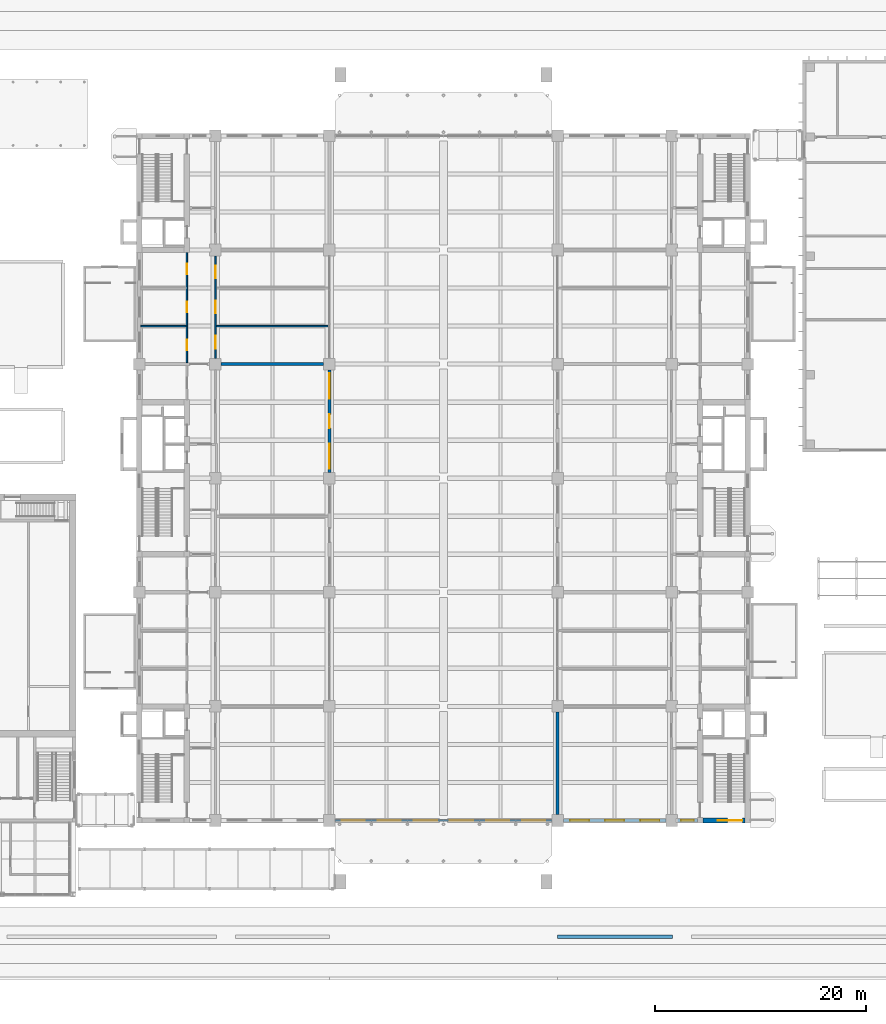
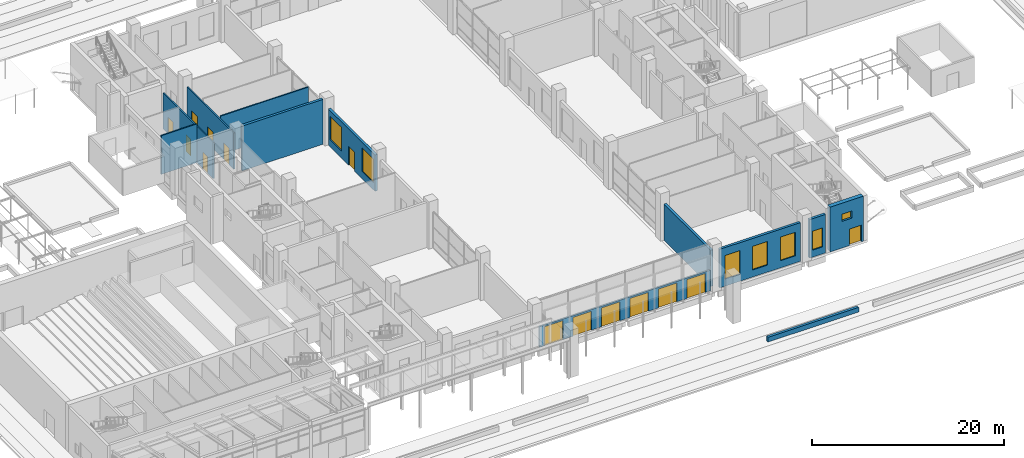
# One storey, part 50 of 71: 14 doors, 12 walls, 7 windows, 21 openings.
"""IFC4 building model written with IfcOpenShell, lengths in metres."""

from ifc_helpers import new_model, si_unit, direction, frame, frame_2d, origin, place, context, subcontext, project, spatial, rectangle, extrude, material, layer, layer_set, type_object, element, fill, save


model = new_model("IFC4")

# Units and contexts
model_context = context("Model", 3, precision=1e-05, world=origin(), true_north=direction((0.0, 1.0)))
body_context = subcontext(model_context, "Body", "Model", "MODEL_VIEW")
ifc_project = project(units=[si_unit("LENGTHUNIT", "METRE"), si_unit("AREAUNIT", "SQUARE_METRE"), si_unit("VOLUMEUNIT", "CUBIC_METRE"), si_unit("PLANEANGLEUNIT", "RADIAN"), si_unit("MASSUNIT", "GRAM", prefix="KILO")], contexts=[model_context])

# Site, building, storey
site_placement = place(None, origin())
site = spatial("IfcSite", under=ifc_project, at=site_placement, CompositionType="ELEMENT")
building_placement = place(site_placement, origin())
building = spatial("IfcBuilding", under=site, at=building_placement, Name="Basin Gate Institute", CompositionType="ELEMENT")
storey_placement = place(building_placement, origin())
storey = spatial("IfcBuildingStorey", under=building, at=storey_placement, Name="L00", CompositionType="ELEMENT", Elevation=0.0)

# Wall, openings, door, windows
ifc_material_1 = material(Name="Fire-resisting board wall assembly")
ifc_layer_1 = layer(ifc_material_1, 0.300048828125)
ifc_layer_set_1 = layer_set([ifc_layer_1], Name="Atrium enclosure wall EW4")
wall_type_1 = type_object("IfcWallType", Name="Atrium enclosure wall EW4", PredefinedType="STANDARD", material=ifc_layer_set_1)
wall_1_placement = place(storey_placement, frame((79.199951171875, 68.050048828125, 0.0), z_axis=(0.0, 0.0, 1.0), x_axis=(0.0, 1.0, 0.0)))
wall_1 = element("IfcWall", 1, at=wall_1_placement, inside=storey, type_object=wall_type_1, material=ifc_layer_set_1, Name="Atrium enclosure wall W wing bay 4 L00", PredefinedType="STANDARD", context=body_context, shape_type="SweptSolid", body=[
    extrude(rectangle(XDim=9.699951171875, YDim=0.300048828125, at=frame_2d((4.85009765625, 0.0))), origin(), (0.0, 0.0, 1.0), 4.60009765625),
])
opening_1_placement = place(wall_1_placement, frame((0.324951171875, 0.0, 0.89990234375)))
opening_1 = element("IfcOpeningElement", 2, at=opening_1_placement, cuts=wall_1, Name="Opening WN5", PredefinedType="OPENING", context=body_context, shape_type="SweptSolid", body=[
    extrude(rectangle(XDim=2.39990234375, YDim=3.0, at=frame_2d((1.199951171875, 1.5))), frame((0.0, 0.16015625, 0.0), z_axis=(0.0, -1.0, 0.0), x_axis=(1.0, 0.0, 0.0)), (0.0, 0.0, 1.0), 0.320068359375),
])
opening_2_placement = place(wall_1_placement, frame((6.97509765625, 0.0, 0.89990234375)))
opening_2 = element("IfcOpeningElement", 3, at=opening_2_placement, cuts=wall_1, Name="Opening WN5", PredefinedType="OPENING", context=body_context, shape_type="SweptSolid", body=[
    extrude(rectangle(XDim=2.39990234375, YDim=3.0, at=frame_2d((1.199951171875, 1.5))), frame((0.0, 0.16015625, 0.0), z_axis=(0.0, -1.0, 0.0), x_axis=(1.0, 0.0, 0.0)), (0.0, 0.0, 1.0), 0.320068359375),
])
opening_3_placement = place(wall_1_placement, frame((4.199951171875, 0.0, 0.0)))
opening_3 = element("IfcOpeningElement", 4, at=opening_3_placement, cuts=wall_1, Name="Opening ED102", PredefinedType="OPENING", context=body_context, shape_type="SweptSolid", body=[
    extrude(rectangle(XDim=1.300048828125, YDim=2.39990234375, at=frame_2d((0.64990234375, 1.199951171875))), frame((0.0, 0.16015625, 0.0), z_axis=(0.0, -1.0, 0.0), x_axis=(1.0, 0.0, 0.0)), (0.0, 0.0, 1.0), 0.320068359375),
])
ifc_material_2 = material(Name="Fire-resisting glazed door in aluminium frame", Category="aluminium")
door_type_1 = type_object("IfcDoorType", Name="Atrium fire door FD60A", OperationType="NOTDEFINED", PredefinedType="DOOR", material=ifc_material_2)
door_1_placement = place(opening_3_placement, frame((1.300048828125, 0.0, 0.0), z_axis=(0.0, 0.0, 1.0), x_axis=(-1.0, 0.0, 0.0)))
door_1 = element("IfcDoor", 5, at=door_1_placement, inside=storey, type_object=door_type_1, material=ifc_material_2, Name="Atrium fire door W wing bay 4", OperationType="SINGLE_SWING_RIGHT", OverallHeight=2.39990234375, OverallWidth=1.300048828125, PredefinedType="DOOR", context=body_context, shape_type="SweptSolid", body=[
    extrude(rectangle(XDim=1.300048828125, YDim=2.39990234375, at=frame_2d((0.64990234375, 1.199951171875))), frame((0.0, 0.02490234375, 0.0), z_axis=(0.0, -1.0, 0.0), x_axis=(1.0, 0.0, 0.0)), (0.0, 0.0, 1.0), 0.050048828125),
])
fill(opening_3, door_1)
ifc_material_3 = material(Name="Fire-resistant glazing in steel-free frame", Category="steel")
window_type_1 = type_object("IfcWindowType", Name="Fire-rated fixed window WN5", PartitioningType="SINGLE_PANEL", PredefinedType="WINDOW", material=ifc_material_3)
window_1_placement = place(opening_1_placement, origin())
window_1 = element("IfcWindow", 6, at=window_1_placement, inside=storey, type_object=window_type_1, material=ifc_material_3, Name="Fire-rated fixed window W wing bay 4 L00", OverallHeight=3.0, OverallWidth=2.39990234375, PartitioningType="SINGLE_PANEL", PredefinedType="WINDOW", context=body_context, shape_type="SweptSolid", body=[
    extrude(rectangle(XDim=2.39990234375, YDim=3.0, at=frame_2d((1.199951171875, 1.5))), frame((0.0, 0.030029296875, 0.0), z_axis=(0.0, -1.0, 0.0), x_axis=(1.0, 0.0, 0.0)), (0.0, 0.0, 1.0), 0.06005859375),
])
fill(opening_1, window_1)
window_2_placement = place(opening_2_placement, origin())
window_2 = element("IfcWindow", 7, at=window_2_placement, inside=storey, type_object=window_type_1, material=ifc_material_3, Name="Fire-rated fixed window W wing bay 4 L00", OverallHeight=3.0, OverallWidth=2.39990234375, PartitioningType="SINGLE_PANEL", PredefinedType="WINDOW", context=body_context, shape_type="SweptSolid", body=[
    extrude(rectangle(XDim=2.39990234375, YDim=3.0, at=frame_2d((1.199951171875, 1.5))), frame((0.0, 0.030029296875, 0.0), z_axis=(0.0, -1.0, 0.0), x_axis=(1.0, 0.0, 0.0)), (0.0, 0.0, 1.0), 0.06005859375),
])
fill(opening_2, window_2)

# Wall
wall_2_placement = place(storey_placement, frame((100.800048828125, 35.64990234375, 0.0), z_axis=(0.0, 0.0, 1.0), x_axis=(0.0, 1.0, 0.0)))
element("IfcWall", 8, at=wall_2_placement, inside=storey, type_object=wall_type_1, material=ifc_layer_set_1, Name="Atrium enclosure wall E wing bay 1 L00", PredefinedType="STANDARD", context=body_context, shape_type="SweptSolid", body=[
    extrude(rectangle(XDim=9.7001953125, YDim=0.300048828125, at=frame_2d((4.85009765625, 0.0))), origin(), (0.0, 0.0, 1.0), 4.60009765625),
])

# Wall, openings, doors
ifc_material_4 = material(Name="Concrete 40 MPa", Category="concrete")
ifc_layer_2 = layer(ifc_material_4, 0.199951171875)
ifc_layer_set_2 = layer_set([ifc_layer_2], Name="Concrete 40 MPa")
wall_type_2 = type_object("IfcWallType", Name="Atrium screen base wall W83 REI 180", PredefinedType="SOLIDWALL", material=ifc_layer_set_2)
wall_3_placement = place(storey_placement, frame((79.75, 35.10009765625, 0.0), z_axis=(0.0, 0.0, 1.0), x_axis=(1.0, 0.0, 0.0)))
wall_3 = element("IfcWall", 9, at=wall_3_placement, inside=storey, type_object=wall_type_2, material=ifc_layer_set_2, Name="Atrium screen base wall R180 S", PredefinedType="SOLIDWALL", context=body_context, shape_type="SweptSolid", body=[
    extrude(rectangle(XDim=20.5, YDim=0.199951171875, at=frame_2d((10.25, 0.0))), origin(), (0.0, 0.0, 1.0), 2.60009765625),
])
opening_4_placement = place(wall_3_placement, frame((0.6083984375, 0.0, 0.0)))
opening_4 = element("IfcOpeningElement", 10, at=opening_4_placement, cuts=wall_3, Name="Opening D801", PredefinedType="OPENING", context=body_context, shape_type="SweptSolid", body=[
    extrude(rectangle(XDim=2.199951171875, YDim=2.39990234375, at=frame_2d((1.10009765625, 1.199951171875))), frame((0.0, 0.10986328125, 0.0), z_axis=(0.0, -1.0, 0.0), x_axis=(1.0, 0.0, 0.0)), (0.0, 0.0, 1.0), 0.219970703125),
])
opening_5_placement = place(wall_3_placement, frame((4.02490234375, 0.0, 0.0)))
opening_5 = element("IfcOpeningElement", 11, at=opening_5_placement, cuts=wall_3, Name="Opening D802", PredefinedType="OPENING", context=body_context, shape_type="SweptSolid", body=[
    extrude(rectangle(XDim=2.199951171875, YDim=2.39990234375, at=frame_2d((1.10009765625, 1.199951171875))), frame((0.0, 0.10986328125, 0.0), z_axis=(0.0, -1.0, 0.0), x_axis=(1.0, 0.0, 0.0)), (0.0, 0.0, 1.0), 0.219970703125),
])
opening_6_placement = place(wall_3_placement, frame((7.441650390625, 0.0, 0.0)))
opening_6 = element("IfcOpeningElement", 12, at=opening_6_placement, cuts=wall_3, Name="Opening D803", PredefinedType="OPENING", context=body_context, shape_type="SweptSolid", body=[
    extrude(rectangle(XDim=2.199951171875, YDim=2.39990234375, at=frame_2d((1.10009765625, 1.199951171875))), frame((0.0, 0.10986328125, 0.0), z_axis=(0.0, -1.0, 0.0), x_axis=(1.0, 0.0, 0.0)), (0.0, 0.0, 1.0), 0.219970703125),
])
opening_7_placement = place(wall_3_placement, frame((10.8583984375, 0.0, 0.0)))
opening_7 = element("IfcOpeningElement", 13, at=opening_7_placement, cuts=wall_3, Name="Opening D804", PredefinedType="OPENING", context=body_context, shape_type="SweptSolid", body=[
    extrude(rectangle(XDim=2.199951171875, YDim=2.39990234375, at=frame_2d((1.10009765625, 1.199951171875))), frame((0.0, 0.10986328125, 0.0), z_axis=(0.0, -1.0, 0.0), x_axis=(1.0, 0.0, 0.0)), (0.0, 0.0, 1.0), 0.219970703125),
])
opening_8_placement = place(wall_3_placement, frame((14.27490234375, 0.0, 0.0)))
opening_8 = element("IfcOpeningElement", 14, at=opening_8_placement, cuts=wall_3, Name="Opening D805", PredefinedType="OPENING", context=body_context, shape_type="SweptSolid", body=[
    extrude(rectangle(XDim=2.199951171875, YDim=2.39990234375, at=frame_2d((1.10009765625, 1.199951171875))), frame((0.0, 0.10986328125, 0.0), z_axis=(0.0, -1.0, 0.0), x_axis=(1.0, 0.0, 0.0)), (0.0, 0.0, 1.0), 0.219970703125),
])
opening_9_placement = place(wall_3_placement, frame((17.691650390625, 0.0, 0.0)))
opening_9 = element("IfcOpeningElement", 15, at=opening_9_placement, cuts=wall_3, Name="Opening D806", PredefinedType="OPENING", context=body_context, shape_type="SweptSolid", body=[
    extrude(rectangle(XDim=2.199951171875, YDim=2.39990234375, at=frame_2d((1.10009765625, 1.199951171875))), frame((0.0, 0.10986328125, 0.0), z_axis=(0.0, -1.0, 0.0), x_axis=(1.0, 0.0, 0.0)), (0.0, 0.0, 1.0), 0.219970703125),
])
ifc_material_5 = material(Name="Aluminium frame with toughened glass", Category="aluminium")
door_type_2 = type_object("IfcDoorType", Name="Automatic sliding door 2200", OperationType="SLIDING_TO_LEFT", PredefinedType="DOOR", material=ifc_material_5)
door_2_placement = place(opening_4_placement, frame((2.199951171875, 0.0, 0.0), z_axis=(0.0, 0.0, 1.0), x_axis=(-1.0, 0.0, 0.0)))
door_2 = element("IfcDoor", 16, at=door_2_placement, inside=storey, type_object=door_type_2, material=ifc_material_5, Name="Main entrance Atrium South 1", OperationType="SLIDING_TO_RIGHT", OverallHeight=2.39990234375, OverallWidth=2.199951171875, PredefinedType="DOOR", context=body_context, shape_type="SweptSolid", body=[
    extrude(rectangle(XDim=2.199951171875, YDim=2.39990234375, at=frame_2d((1.10009765625, 1.199951171875))), frame((0.0, 0.02490234375, 0.0), z_axis=(0.0, -1.0, 0.0), x_axis=(1.0, 0.0, 0.0)), (0.0, 0.0, 1.0), 0.050048828125),
])
fill(opening_4, door_2)
door_3_placement = place(opening_5_placement, frame((2.199951171875, 0.0, 0.0), z_axis=(0.0, 0.0, 1.0), x_axis=(-1.0, 0.0, 0.0)))
door_3 = element("IfcDoor", 17, at=door_3_placement, inside=storey, type_object=door_type_2, material=ifc_material_5, Name="Main entrance Atrium South 2", OperationType="SLIDING_TO_RIGHT", OverallHeight=2.39990234375, OverallWidth=2.199951171875, PredefinedType="DOOR", context=body_context, shape_type="SweptSolid", body=[
    extrude(rectangle(XDim=2.199951171875, YDim=2.39990234375, at=frame_2d((1.10009765625, 1.199951171875))), frame((0.0, 0.02490234375, 0.0), z_axis=(0.0, -1.0, 0.0), x_axis=(1.0, 0.0, 0.0)), (0.0, 0.0, 1.0), 0.050048828125),
])
fill(opening_5, door_3)
door_4_placement = place(opening_6_placement, frame((2.199951171875, 0.0, 0.0), z_axis=(0.0, 0.0, 1.0), x_axis=(-1.0, 0.0, 0.0)))
door_4 = element("IfcDoor", 18, at=door_4_placement, inside=storey, type_object=door_type_2, material=ifc_material_5, Name="Main entrance Atrium South 3", OperationType="SLIDING_TO_RIGHT", OverallHeight=2.39990234375, OverallWidth=2.199951171875, PredefinedType="DOOR", context=body_context, shape_type="SweptSolid", body=[
    extrude(rectangle(XDim=2.199951171875, YDim=2.39990234375, at=frame_2d((1.10009765625, 1.199951171875))), frame((0.0, 0.02490234375, 0.0), z_axis=(0.0, -1.0, 0.0), x_axis=(1.0, 0.0, 0.0)), (0.0, 0.0, 1.0), 0.050048828125),
])
fill(opening_6, door_4)
door_5_placement = place(opening_7_placement, frame((2.199951171875, 0.0, 0.0), z_axis=(0.0, 0.0, 1.0), x_axis=(-1.0, 0.0, 0.0)))
door_5 = element("IfcDoor", 19, at=door_5_placement, inside=storey, type_object=door_type_2, material=ifc_material_5, Name="Main entrance Atrium South 4", OperationType="SLIDING_TO_RIGHT", OverallHeight=2.39990234375, OverallWidth=2.199951171875, PredefinedType="DOOR", context=body_context, shape_type="SweptSolid", body=[
    extrude(rectangle(XDim=2.199951171875, YDim=2.39990234375, at=frame_2d((1.10009765625, 1.199951171875))), frame((0.0, 0.02490234375, 0.0), z_axis=(0.0, -1.0, 0.0), x_axis=(1.0, 0.0, 0.0)), (0.0, 0.0, 1.0), 0.050048828125),
])
fill(opening_7, door_5)
door_6_placement = place(opening_8_placement, frame((2.199951171875, 0.0, 0.0), z_axis=(0.0, 0.0, 1.0), x_axis=(-1.0, 0.0, 0.0)))
door_6 = element("IfcDoor", 20, at=door_6_placement, inside=storey, type_object=door_type_2, material=ifc_material_5, Name="Main entrance Atrium South 5", OperationType="SLIDING_TO_RIGHT", OverallHeight=2.39990234375, OverallWidth=2.199951171875, PredefinedType="DOOR", context=body_context, shape_type="SweptSolid", body=[
    extrude(rectangle(XDim=2.199951171875, YDim=2.39990234375, at=frame_2d((1.10009765625, 1.199951171875))), frame((0.0, 0.02490234375, 0.0), z_axis=(0.0, -1.0, 0.0), x_axis=(1.0, 0.0, 0.0)), (0.0, 0.0, 1.0), 0.050048828125),
])
fill(opening_8, door_6)
door_7_placement = place(opening_9_placement, frame((2.199951171875, 0.0, 0.0), z_axis=(0.0, 0.0, 1.0), x_axis=(-1.0, 0.0, 0.0)))
door_7 = element("IfcDoor", 21, at=door_7_placement, inside=storey, type_object=door_type_2, material=ifc_material_5, Name="Main entrance Atrium South 6", OperationType="SLIDING_TO_RIGHT", OverallHeight=2.39990234375, OverallWidth=2.199951171875, PredefinedType="DOOR", context=body_context, shape_type="SweptSolid", body=[
    extrude(rectangle(XDim=2.199951171875, YDim=2.39990234375, at=frame_2d((1.10009765625, 1.199951171875))), frame((0.0, 0.02490234375, 0.0), z_axis=(0.0, -1.0, 0.0), x_axis=(1.0, 0.0, 0.0)), (0.0, 0.0, 1.0), 0.050048828125),
])
fill(opening_9, door_7)

# Wall
ifc_material_6 = material(Name="Concrete 35 MPa", Category="concrete")
ifc_layer_3 = layer(ifc_material_6, 0.300048828125)
ifc_layer_set_3 = layer_set([ifc_layer_3], Name="Concrete 35 MPa")
wall_type_3 = type_object("IfcWallType", Name="Edge planter wall PL2", PredefinedType="SOLIDWALL", material=ifc_layer_set_3)
wall_4_placement = place(storey_placement, frame((100.800048828125, 24.090087890625, 0.0), z_axis=(0.0, 0.0, 1.0), x_axis=(1.0, 0.0, 0.0)))
element("IfcWall", 22, at=wall_4_placement, inside=storey, type_object=wall_type_3, material=ifc_layer_set_3, Name="Edge planter wall S4", PredefinedType="SOLIDWALL", context=body_context, shape_type="SweptSolid", body=[
    extrude(rectangle(XDim=10.889892578125, YDim=0.300048828125, at=frame_2d((5.44482421875, 0.0))), origin(), (0.0, 0.0, 1.0), 0.60009765625),
])

# Wall, opening, window
ifc_material_7 = material(Name="Aluminium-faced insulated panel wall", Category="aluminium")
ifc_layer_4 = layer(ifc_material_7, 0.300048828125)
ifc_layer_set_4 = layer_set([ifc_layer_4], Name="External wall EW1 EI 120")
wall_type_4 = type_object("IfcWallType", Name="External wall EW1 EI 120", PredefinedType="STANDARD", material=ifc_layer_set_4)
wall_5_placement = place(storey_placement, frame((114.050048828125, 35.10009765625, 0.0), z_axis=(0.0, 0.0, 1.0), x_axis=(-1.0, 0.0, 0.0)))
wall_5 = element("IfcWall", 23, at=wall_5_placement, inside=storey, type_object=wall_type_4, material=ifc_layer_set_4, Name="External end wall E wing south L00 1", PredefinedType="STANDARD", context=body_context, shape_type="SweptSolid", body=[
    extrude(rectangle(XDim=1.900146484375, YDim=0.300048828125, at=frame_2d((0.9501953125, 0.0))), origin(), (0.0, 0.0, 1.0), 4.89990234375),
])
opening_10_placement = place(wall_5_placement, frame((0.35009765625, 0.0, 0.89990234375)))
opening_10 = element("IfcOpeningElement", 24, at=opening_10_placement, cuts=wall_5, Name="Opening WN4", PredefinedType="OPENING", context=body_context, shape_type="SweptSolid", body=[
    extrude(rectangle(XDim=1.199951171875, YDim=2.39990234375, at=frame_2d((0.60009765625, 1.199951171875))), frame((0.0, 0.16015625, 0.0), z_axis=(0.0, -1.0, 0.0), x_axis=(1.0, 0.0, 0.0)), (0.0, 0.0, 1.0), 0.320068359375),
])
ifc_material_8 = material(Name="Aluminium-framed double glazing", Category="aluminium")
window_type_2 = type_object("IfcWindowType", Name="Corridor end window WN4", PartitioningType="SINGLE_PANEL", PredefinedType="WINDOW", material=ifc_material_8)
window_3_placement = place(opening_10_placement, origin())
window_3 = element("IfcWindow", 25, at=window_3_placement, inside=storey, type_object=window_type_2, material=ifc_material_8, Name="Corridor end window E wing S L00", OverallHeight=2.39990234375, OverallWidth=1.199951171875, PartitioningType="SINGLE_PANEL", PredefinedType="WINDOW", context=body_context, shape_type="SweptSolid", body=[
    extrude(rectangle(XDim=1.199951171875, YDim=2.39990234375, at=frame_2d((0.60009765625, 1.199951171875))), frame((0.0, 0.030029296875, 0.0), z_axis=(0.0, -1.0, 0.0), x_axis=(1.0, 0.0, 0.0)), (0.0, 0.0, 1.0), 0.06005859375),
])
fill(opening_10, window_3)

# Wall, openings, windows
wall_6_placement = place(storey_placement, frame((111.050048828125, 35.10009765625, 0.0), z_axis=(0.0, 0.0, 1.0), x_axis=(-1.0, 0.0, 0.0)))
wall_6 = element("IfcWall", 26, at=wall_6_placement, inside=storey, type_object=wall_type_4, material=ifc_layer_set_4, Name="External end wall E wing south L00 2", PredefinedType="STANDARD", context=body_context, shape_type="SweptSolid", body=[
    extrude(rectangle(XDim=9.699951171875, YDim=0.300048828125, at=frame_2d((4.85009765625, 0.0))), origin(), (0.0, 0.0, 1.0), 4.89990234375),
])
opening_11_placement = place(wall_6_placement, frame((0.625, 0.0, 0.89990234375)))
opening_11 = element("IfcOpeningElement", 27, at=opening_11_placement, cuts=wall_6, Name="Opening WN2", PredefinedType="OPENING", context=body_context, shape_type="SweptSolid", body=[
    extrude(rectangle(XDim=1.800048828125, YDim=3.0, at=frame_2d((0.89990234375, 1.5))), frame((0.0, 0.16015625, 0.0), z_axis=(0.0, -1.0, 0.0), x_axis=(1.0, 0.0, 0.0)), (0.0, 0.0, 1.0), 0.320068359375),
])
opening_12_placement = place(wall_6_placement, frame((3.949951171875, 0.0, 0.89990234375)))
opening_12 = element("IfcOpeningElement", 28, at=opening_12_placement, cuts=wall_6, Name="Opening WN2", PredefinedType="OPENING", context=body_context, shape_type="SweptSolid", body=[
    extrude(rectangle(XDim=1.800048828125, YDim=3.0, at=frame_2d((0.89990234375, 1.5))), frame((0.0, 0.16015625, 0.0), z_axis=(0.0, -1.0, 0.0), x_axis=(1.0, 0.0, 0.0)), (0.0, 0.0, 1.0), 0.320068359375),
])
opening_13_placement = place(wall_6_placement, frame((7.27490234375, 0.0, 0.89990234375)))
opening_13 = element("IfcOpeningElement", 29, at=opening_13_placement, cuts=wall_6, Name="Opening WN2", PredefinedType="OPENING", context=body_context, shape_type="SweptSolid", body=[
    extrude(rectangle(XDim=1.800048828125, YDim=3.0, at=frame_2d((0.89990234375, 1.5))), frame((0.0, 0.16015625, 0.0), z_axis=(0.0, -1.0, 0.0), x_axis=(1.0, 0.0, 0.0)), (0.0, 0.0, 1.0), 0.320068359375),
])
ifc_material_9 = material(Name="Aluminium-framed double glazing", Category="aluminium")
window_type_3 = type_object("IfcWindowType", Name="Podium window WN2", PartitioningType="SINGLE_PANEL", PredefinedType="WINDOW", material=ifc_material_9)
window_4_placement = place(opening_11_placement, origin())
window_4 = element("IfcWindow", 30, at=window_4_placement, inside=storey, type_object=window_type_3, material=ifc_material_9, Name="Podium window E wing end S L00 bay 1", OverallHeight=3.0, OverallWidth=1.800048828125, PartitioningType="SINGLE_PANEL", PredefinedType="WINDOW", context=body_context, shape_type="SweptSolid", body=[
    extrude(rectangle(XDim=1.800048828125, YDim=3.0, at=frame_2d((0.89990234375, 1.5))), frame((0.0, 0.030029296875, 0.0), z_axis=(0.0, -1.0, 0.0), x_axis=(1.0, 0.0, 0.0)), (0.0, 0.0, 1.0), 0.06005859375),
])
fill(opening_11, window_4)
window_5_placement = place(opening_12_placement, origin())
window_5 = element("IfcWindow", 31, at=window_5_placement, inside=storey, type_object=window_type_3, material=ifc_material_9, Name="Podium window E wing end S L00 bay 2", OverallHeight=3.0, OverallWidth=1.800048828125, PartitioningType="SINGLE_PANEL", PredefinedType="WINDOW", context=body_context, shape_type="SweptSolid", body=[
    extrude(rectangle(XDim=1.800048828125, YDim=3.0, at=frame_2d((0.89990234375, 1.5))), frame((0.0, 0.030029296875, 0.0), z_axis=(0.0, -1.0, 0.0), x_axis=(1.0, 0.0, 0.0)), (0.0, 0.0, 1.0), 0.06005859375),
])
fill(opening_12, window_5)
window_6_placement = place(opening_13_placement, origin())
window_6 = element("IfcWindow", 32, at=window_6_placement, inside=storey, type_object=window_type_3, material=ifc_material_9, Name="Podium window E wing end S L00 bay 3", OverallHeight=3.0, OverallWidth=1.800048828125, PartitioningType="SINGLE_PANEL", PredefinedType="WINDOW", context=body_context, shape_type="SweptSolid", body=[
    extrude(rectangle(XDim=1.800048828125, YDim=3.0, at=frame_2d((0.89990234375, 1.5))), frame((0.0, 0.030029296875, 0.0), z_axis=(0.0, -1.0, 0.0), x_axis=(1.0, 0.0, 0.0)), (0.0, 0.0, 1.0), 0.06005859375),
])
fill(opening_13, window_6)

# Wall, openings, doors
ifc_material_10 = material(Name="Gypsum board on steel stud", Category="steel")
ifc_layer_5 = layer(ifc_material_10, 0.14990234375)
ifc_layer_set_5 = layer_set([ifc_layer_5], Name="Gypsum board on steel stud")
wall_type_5 = type_object("IfcWallType", Name="Partition PW1 150 EI 60", PredefinedType="PARTITIONING", material=ifc_layer_set_5)
wall_7_placement = place(storey_placement, frame((65.699951171875, 78.449951171875, 0.0), z_axis=(0.0, 0.0, 1.0), x_axis=(0.0, 1.0, 0.0)))
wall_7 = element("IfcWall", 33, at=wall_7_placement, inside=storey, type_object=wall_type_5, material=ifc_layer_set_5, Name="Corridor wall PW1 L00", PredefinedType="PARTITIONING", context=body_context, shape_type="SweptSolid", body=[
    extrude(rectangle(XDim=10.400146484375, YDim=0.14990234375, at=frame_2d((5.2001953125, 0.0))), origin(), (0.0, 0.0, 1.0), 4.60009765625),
])
opening_14_placement = place(wall_7_placement, frame((8.35009765625, 0.0, 0.0)))
opening_14 = element("IfcOpeningElement", 34, at=opening_14_placement, cuts=wall_7, Name="Opening DR022", PredefinedType="OPENING", context=body_context, shape_type="SweptSolid", body=[
    extrude(rectangle(XDim=1.0, YDim=2.10009765625, at=frame_2d((0.5, 1.050048828125))), frame((0.0, 0.0849609375, 0.0), z_axis=(0.0, -1.0, 0.0), x_axis=(1.0, 0.0, 0.0)), (0.0, 0.0, 1.0), 0.169921875),
])
opening_15_placement = place(wall_7_placement, frame((4.75, 0.0, 0.0)))
opening_15 = element("IfcOpeningElement", 35, at=opening_15_placement, cuts=wall_7, Name="Opening DR030", PredefinedType="OPENING", context=body_context, shape_type="SweptSolid", body=[
    extrude(rectangle(XDim=1.0, YDim=2.10009765625, at=frame_2d((0.5, 1.050048828125))), frame((0.0, 0.0849609375, 0.0), z_axis=(0.0, -1.0, 0.0), x_axis=(1.0, 0.0, 0.0)), (0.0, 0.0, 1.0), 0.169921875),
])
opening_16_placement = place(wall_7_placement, frame((1.14990234375, 0.0, 0.0)))
opening_16 = element("IfcOpeningElement", 36, at=opening_16_placement, cuts=wall_7, Name="Opening DR032", PredefinedType="OPENING", context=body_context, shape_type="SweptSolid", body=[
    extrude(rectangle(XDim=1.0, YDim=2.10009765625, at=frame_2d((0.5, 1.050048828125))), frame((0.0, 0.0849609375, 0.0), z_axis=(0.0, -1.0, 0.0), x_axis=(1.0, 0.0, 0.0)), (0.0, 0.0, 1.0), 0.169921875),
])
ifc_material_11 = material(Name="Timber fire door", Category="wood")
door_type_3 = type_object("IfcDoorType", Name="FD30 Office door D1", OperationType="NOTDEFINED", PredefinedType="DOOR", material=ifc_material_11)
door_8_placement = place(opening_16_placement, origin())
door_8 = element("IfcDoor", 37, at=door_8_placement, inside=storey, type_object=door_type_3, material=ifc_material_11, Name="Door to Meeting Room 0006 L00", OperationType="SINGLE_SWING_LEFT", OverallHeight=2.10009765625, OverallWidth=1.0, PredefinedType="DOOR", context=body_context, shape_type="SweptSolid", body=[
    extrude(rectangle(XDim=1.0, YDim=2.10009765625, at=frame_2d((0.5, 1.050048828125))), frame((0.0, 0.02490234375, 0.0), z_axis=(0.0, -1.0, 0.0), x_axis=(1.0, 0.0, 0.0)), (0.0, 0.0, 1.0), 0.050048828125),
])
fill(opening_16, door_8)
ifc_material_12 = material(Name="Timber fire door", Category="wood")
door_type_4 = type_object("IfcDoorType", Name="FD30 Toilet door D3", OperationType="NOTDEFINED", PredefinedType="DOOR", material=ifc_material_12)
door_9_placement = place(opening_14_placement, origin())
door_9 = element("IfcDoor", 38, at=door_9_placement, inside=storey, type_object=door_type_4, material=ifc_material_12, Name="Door to Accessible WC L00", OperationType="SINGLE_SWING_RIGHT", OverallHeight=2.10009765625, OverallWidth=1.0, PredefinedType="DOOR", context=body_context, shape_type="SweptSolid", body=[
    extrude(rectangle(XDim=1.0, YDim=2.10009765625, at=frame_2d((0.5, 1.050048828125))), frame((0.0, 0.02490234375, 0.0), z_axis=(0.0, -1.0, 0.0), x_axis=(1.0, 0.0, 0.0)), (0.0, 0.0, 1.0), 0.050048828125),
])
fill(opening_14, door_9)
door_10_placement = place(opening_15_placement, origin())
door_10 = element("IfcDoor", 39, at=door_10_placement, inside=storey, type_object=door_type_4, material=ifc_material_12, Name="Door to Female WC L00", OperationType="SINGLE_SWING_LEFT", OverallHeight=2.10009765625, OverallWidth=1.0, PredefinedType="DOOR", context=body_context, shape_type="SweptSolid", body=[
    extrude(rectangle(XDim=1.0, YDim=2.10009765625, at=frame_2d((0.5, 1.050048828125))), frame((0.0, 0.02490234375, 0.0), z_axis=(0.0, -1.0, 0.0), x_axis=(1.0, 0.0, 0.0)), (0.0, 0.0, 1.0), 0.050048828125),
])
fill(opening_15, door_10)

wall_8_placement = place(storey_placement, frame((68.39990234375, 78.85009765625, 0.0), z_axis=(0.0, 0.0, 1.0), x_axis=(0.0, 1.0, 0.0)))
wall_8 = element("IfcWall", 40, at=wall_8_placement, inside=storey, type_object=wall_type_5, material=ifc_layer_set_5, Name="Laboratory corridor wall PW1 L00", PredefinedType="PARTITIONING", context=body_context, shape_type="SweptSolid", body=[
    extrude(rectangle(XDim=9.699951171875, YDim=0.14990234375, at=frame_2d((4.85009765625, 0.0))), origin(), (0.0, 0.0, 1.0), 4.60009765625),
])
opening_17_placement = place(wall_8_placement, frame((0.925048828125, 0.0, 0.0)))
opening_17 = element("IfcOpeningElement", 41, at=opening_17_placement, cuts=wall_8, Name="Opening DR024", PredefinedType="OPENING", context=body_context, shape_type="SweptSolid", body=[
    extrude(rectangle(XDim=1.199951171875, YDim=2.10009765625, at=frame_2d((0.60009765625, 1.050048828125))), frame((0.0, 0.0849609375, 0.0), z_axis=(0.0, -1.0, 0.0), x_axis=(1.0, 0.0, 0.0)), (0.0, 0.0, 1.0), 0.169921875),
])
opening_18_placement = place(wall_8_placement, frame((7.574951171875, 0.0, 0.0)))
opening_18 = element("IfcOpeningElement", 42, at=opening_18_placement, cuts=wall_8, Name="Opening DR025", PredefinedType="OPENING", context=body_context, shape_type="SweptSolid", body=[
    extrude(rectangle(XDim=1.199951171875, YDim=2.10009765625, at=frame_2d((0.60009765625, 1.050048828125))), frame((0.0, 0.0849609375, 0.0), z_axis=(0.0, -1.0, 0.0), x_axis=(1.0, 0.0, 0.0)), (0.0, 0.0, 1.0), 0.169921875),
])
opening_19_placement = place(wall_8_placement, frame((4.25, 0.0, 0.0)))
opening_19 = element("IfcOpeningElement", 43, at=opening_19_placement, cuts=wall_8, Name="Opening DR033", PredefinedType="OPENING", context=body_context, shape_type="SweptSolid", body=[
    extrude(rectangle(XDim=1.199951171875, YDim=2.10009765625, at=frame_2d((0.60009765625, 1.050048828125))), frame((0.0, 0.0849609375, 0.0), z_axis=(0.0, -1.0, 0.0), x_axis=(1.0, 0.0, 0.0)), (0.0, 0.0, 1.0), 0.169921875),
])
ifc_material_13 = material(Name="Timber fire door", Category="wood")
door_type_5 = type_object("IfcDoorType", Name="FD30 Laboratory door D2", OperationType="DOUBLE_DOOR_SINGLE_SWING", PredefinedType="DOOR", material=ifc_material_13)
door_11_placement = place(opening_17_placement, frame((1.199951171875, 0.0, 0.0), z_axis=(0.0, 0.0, 1.0), x_axis=(-1.0, 0.0, 0.0)))
door_11 = element("IfcDoor", 44, at=door_11_placement, inside=storey, type_object=door_type_5, material=ifc_material_13, Name="Door to Cafe 0021 L00", OperationType="DOUBLE_DOOR_SINGLE_SWING", OverallHeight=2.10009765625, OverallWidth=1.199951171875, PredefinedType="DOOR", context=body_context, shape_type="SweptSolid", body=[
    extrude(rectangle(XDim=1.199951171875, YDim=2.10009765625, at=frame_2d((0.60009765625, 1.050048828125))), frame((0.0, 0.02490234375, 0.0), z_axis=(0.0, -1.0, 0.0), x_axis=(1.0, 0.0, 0.0)), (0.0, 0.0, 1.0), 0.050048828125),
])
fill(opening_17, door_11)
door_12_placement = place(opening_18_placement, frame((1.199951171875, 0.0, 0.0), z_axis=(0.0, 0.0, 1.0), x_axis=(-1.0, 0.0, 0.0)))
door_12 = element("IfcDoor", 45, at=door_12_placement, inside=storey, type_object=door_type_5, material=ifc_material_13, Name="Door to Cafe 0023 L00", OperationType="DOUBLE_DOOR_SINGLE_SWING", OverallHeight=2.10009765625, OverallWidth=1.199951171875, PredefinedType="DOOR", context=body_context, shape_type="SweptSolid", body=[
    extrude(rectangle(XDim=1.199951171875, YDim=2.10009765625, at=frame_2d((0.60009765625, 1.050048828125))), frame((0.0, 0.02490234375, 0.0), z_axis=(0.0, -1.0, 0.0), x_axis=(1.0, 0.0, 0.0)), (0.0, 0.0, 1.0), 0.050048828125),
])
fill(opening_18, door_12)
door_13_placement = place(opening_19_placement, frame((1.199951171875, 0.0, 0.0), z_axis=(0.0, 0.0, 1.0), x_axis=(-1.0, 0.0, 0.0)))
door_13 = element("IfcDoor", 46, at=door_13_placement, inside=storey, type_object=door_type_5, material=ifc_material_13, Name="Door to Reception and Security Office 0022 L00", OperationType="DOUBLE_DOOR_SINGLE_SWING", OverallHeight=2.10009765625, OverallWidth=1.199951171875, PredefinedType="DOOR", context=body_context, shape_type="SweptSolid", body=[
    extrude(rectangle(XDim=1.199951171875, YDim=2.10009765625, at=frame_2d((0.60009765625, 1.050048828125))), frame((0.0, 0.02490234375, 0.0), z_axis=(0.0, -1.0, 0.0), x_axis=(1.0, 0.0, 0.0)), (0.0, 0.0, 1.0), 0.050048828125),
])
fill(opening_19, door_13)

# Walls
wall_9_placement = place(storey_placement, frame((68.47509765625, 81.89990234375, 0.0), z_axis=(0.0, 0.0, 1.0), x_axis=(1.0, 0.0, 0.0)))
element("IfcWall", 47, at=wall_9_placement, inside=storey, type_object=wall_type_5, material=ifc_layer_set_5, Name="Laboratory partition PW1 L00", PredefinedType="PARTITIONING", context=body_context, shape_type="SweptSolid", body=[
    extrude(rectangle(XDim=10.574951171875, YDim=0.14990234375, at=frame_2d((5.28759765625, 0.0))), origin(), (0.0, 0.0, 1.0), 4.89990234375),
])
ifc_material_14 = material(Name="Gypsum board on steel stud", Category="steel")
ifc_layer_6 = layer(ifc_material_14, 0.14990234375)
ifc_layer_set_6 = layer_set([ifc_layer_6], Name="Gypsum board on steel stud")
wall_type_6 = type_object("IfcWallType", Name="Partition PW4 150", PredefinedType="PARTITIONING", material=ifc_layer_set_6)
wall_10_placement = place(storey_placement, frame((61.35009765625, 81.89990234375, 0.0), z_axis=(0.0, 0.0, 1.0), x_axis=(1.0, 0.0, 0.0)))
element("IfcWall", 48, at=wall_10_placement, inside=storey, type_object=wall_type_6, material=ifc_layer_set_6, Name="Toilet partition PW4 L00", PredefinedType="PARTITIONING", context=body_context, shape_type="SweptSolid", body=[
    extrude(rectangle(XDim=4.27490234375, YDim=0.14990234375, at=frame_2d((2.137451171875, 0.0))), origin(), (0.0, 0.0, 1.0), 4.89990234375),
])

# Wall, openings, door, window
ifc_material_15 = material(Name="Concrete 60 MPa", Category="concrete")
ifc_layer_7 = layer(ifc_material_15, 0.5)
ifc_layer_set_7 = layer_set([ifc_layer_7], Name="Concrete 60 MPa")
wall_type_7 = type_object("IfcWallType", Name="Wall SW1 R180", PredefinedType="SHEAR", material=ifc_layer_set_7)
wall_11_placement = place(storey_placement, frame((118.550048828125, 35.10009765625, 0.0), z_axis=(0.0, 0.0, 1.0), x_axis=(-1.0, 0.0, 0.0)))
wall_11 = element("IfcWall", 49, at=wall_11_placement, inside=storey, type_object=wall_type_7, material=ifc_layer_set_7, Name="WALL/L00/ES/S", PredefinedType="SHEAR", context=body_context, shape_type="SweptSolid", body=[
    extrude(rectangle(XDim=4.0, YDim=0.5, at=frame_2d((2.0, 0.0))), origin(), (0.0, 0.0, 1.0), 5.699951171875),
])
opening_20_placement = place(wall_11_placement, frame((0.25, 0.0, 0.0)))
opening_20 = element("IfcOpeningElement", 50, at=opening_20_placement, cuts=wall_11, Name="Opening DX04", PredefinedType="OPENING", context=body_context, shape_type="SweptSolid", body=[
    extrude(rectangle(XDim=1.39990234375, YDim=2.10009765625, at=frame_2d((0.699951171875, 1.050048828125))), frame((0.0, 0.260009765625, 0.0), z_axis=(0.0, -1.0, 0.0), x_axis=(1.0, 0.0, 0.0)), (0.0, 0.0, 1.0), 0.52001953125),
])
opening_21_placement = place(wall_11_placement, frame((1.39990234375, 0.0, 3.39990234375)))
opening_21 = element("IfcOpeningElement", 51, at=opening_21_placement, cuts=wall_11, Name="Opening WT1", PredefinedType="OPENING", context=body_context, shape_type="SweptSolid", body=[
    extrude(rectangle(XDim=1.199951171875, YDim=0.89990234375, at=frame_2d((0.60009765625, 0.449951171875))), frame((0.0, 0.260009765625, 0.0), z_axis=(0.0, -1.0, 0.0), x_axis=(1.0, 0.0, 0.0)), (0.0, 0.0, 1.0), 0.52001953125),
])
ifc_material_16 = material(Name="Steel fire door", Category="steel")
door_type_6 = type_object("IfcDoorType", Name="FD60 Final exit door DX", OperationType="DOUBLE_DOOR_SINGLE_SWING", PredefinedType="DOOR", material=ifc_material_16)
door_14_placement = place(opening_20_placement, origin())
door_14 = element("IfcDoor", 52, at=door_14_placement, inside=storey, type_object=door_type_6, material=ifc_material_16, Name="Final exit ST-ES to the south plaza", OperationType="DOUBLE_DOOR_SINGLE_SWING", OverallHeight=2.10009765625, OverallWidth=1.39990234375, PredefinedType="DOOR", context=body_context, shape_type="SweptSolid", body=[
    extrude(rectangle(XDim=1.39990234375, YDim=2.10009765625, at=frame_2d((0.699951171875, 1.050048828125))), frame((0.0, 0.02490234375, 0.0), z_axis=(0.0, -1.0, 0.0), x_axis=(1.0, 0.0, 0.0)), (0.0, 0.0, 1.0), 0.050048828125),
])
fill(opening_20, door_14)
ifc_material_17 = material(Name="Fire-resistant glazing in steel-free frame", Category="steel")
window_type_4 = type_object("IfcWindowType", Name="Rated stair window EI 180 WT1", PartitioningType="SINGLE_PANEL", PredefinedType="WINDOW", material=ifc_material_17)
window_7_placement = place(opening_21_placement, origin())
window_7 = element("IfcWindow", 53, at=window_7_placement, inside=storey, type_object=window_type_4, material=ifc_material_17, Name="Rated stair window EI 180 ES end L00", OverallHeight=0.89990234375, OverallWidth=1.199951171875, PartitioningType="SINGLE_PANEL", PredefinedType="WINDOW", context=body_context, shape_type="SweptSolid", body=[
    extrude(rectangle(XDim=1.199951171875, YDim=0.89990234375, at=frame_2d((0.60009765625, 0.449951171875))), frame((0.0, 0.030029296875, 0.0), z_axis=(0.0, -1.0, 0.0), x_axis=(1.0, 0.0, 0.0)), (0.0, 0.0, 1.0), 0.06005859375),
])
fill(opening_21, window_7)

# Wall
ifc_material_18 = material(Name="Concrete 50 MPa", Category="concrete")
ifc_layer_8 = layer(ifc_material_18, 0.300048828125)
ifc_layer_set_8 = layer_set([ifc_layer_8], Name="Concrete 50 MPa")
wall_type_8 = type_object("IfcWallType", Name="Wall XW1 R180", PredefinedType="SHEAR", material=ifc_layer_set_8)
wall_12_placement = place(storey_placement, frame((68.949951171875, 78.300048828125, 0.0), z_axis=(0.0, 0.0, 1.0), x_axis=(1.0, 0.0, 0.0)))
element("IfcWall", 54, at=wall_12_placement, inside=storey, type_object=wall_type_8, material=ifc_layer_set_8, Name="WALL/L00/WXE/2", PredefinedType="SHEAR", context=body_context, shape_type="SweptSolid", body=[
    extrude(rectangle(XDim=9.699951171875, YDim=0.300048828125, at=frame_2d((4.85009765625, 0.0))), origin(), (0.0, 0.0, 1.0), 5.699951171875),
])

save(model, "model.ifc")
